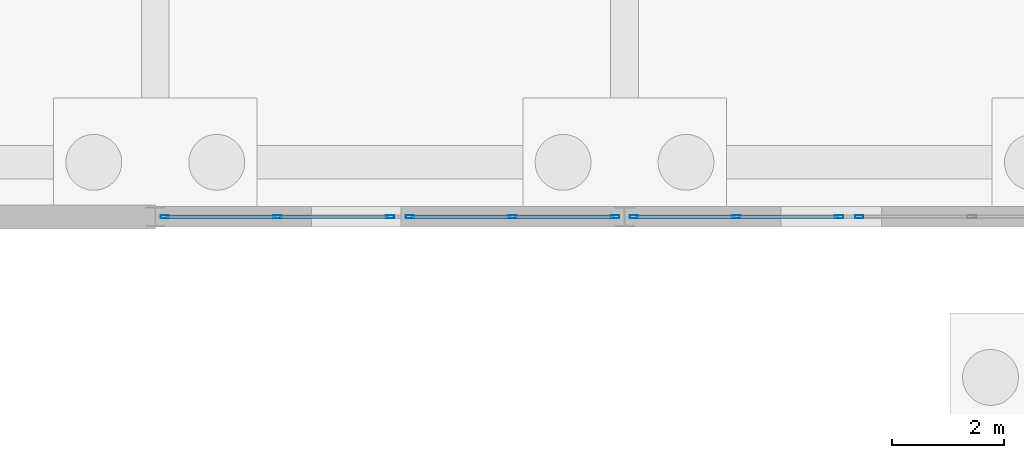
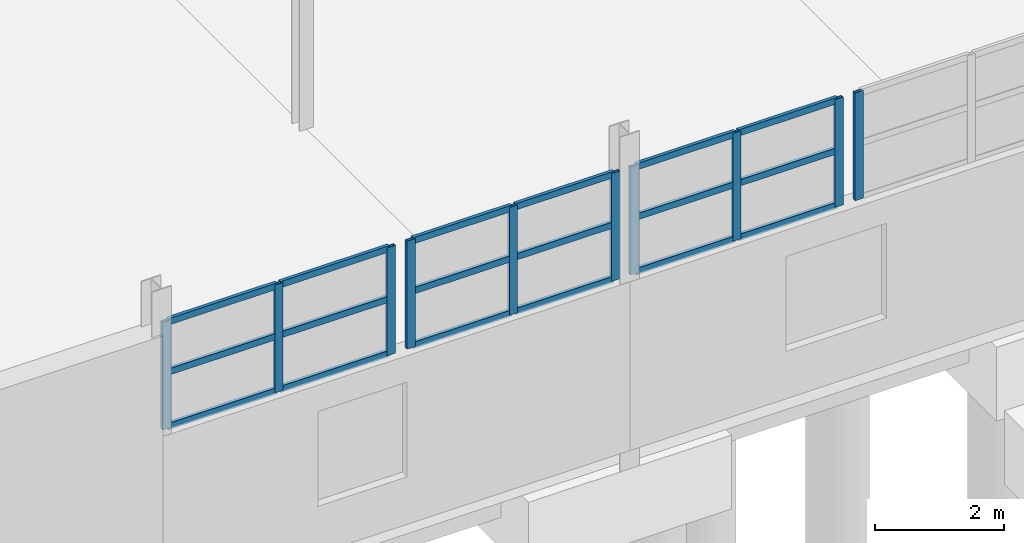
# One storey, part 68 of 139: 28 members, 4 elements without a shape of their own.
"""IFC4 building model written with IfcOpenShell, lengths in metres."""

import ifcopenshell
import ifcopenshell.guid

model = None  # the IFC model being written
_history = None  # IfcOwnerHistory: only IFC2X3 demands one
_inside = {}  # id of a spatial element -> (the spatial element, [elements in it])
_under = {}  # id of a project, library or spatial element -> (it, [spatial elements below it])
_declared = {}  # id of a project -> (the project, [libraries it declares])
_typed = {}  # id of a type object -> (the type object, [elements of that type])
_made_of = {}  # id of a material, layer set ... -> (it, [elements and type objects made of it])


def new_model(schema):
    """Start an empty IFC model of exactly this schema.

    Asked for "IFC4X3", IfcOpenShell would pick the latest addendum, in which some entities
    have other attributes; the version numbers below select the first issue.
    IFC2X3 requires an IfcOwnerHistory on every rooted entity: one is made here for all.
    """
    global model, _history
    if schema == "IFC4X3":
        model = ifcopenshell.file(schema_version=(4, 3, 0, 0))
    else:
        model = ifcopenshell.file(schema=schema)
    _inside.clear()
    _under.clear()
    _declared.clear()
    _typed.clear()
    _made_of.clear()
    _history = None
    if model.schema == "IFC2X3":
        org = make("IfcOrganization", Name="unknown")
        user = make(
            "IfcPersonAndOrganization",
            ThePerson=make("IfcPerson", FamilyName="unknown"),
            TheOrganization=org,
        )
        app = make(
            "IfcApplication",
            ApplicationDeveloper=org,
            Version="unknown",
            ApplicationFullName="unknown",
            ApplicationIdentifier="unknown",
        )
        _history = make(
            "IfcOwnerHistory",
            OwningUser=user,
            OwningApplication=app,
            ChangeAction="ADDED",
            CreationDate=0,
        )
    return model


def make(cls, **values):
    """One entity of the class cls with the attributes given. An attribute that is None is left unset."""
    return model.create_entity(
        cls, **{name: value for name, value in values.items() if value is not None}
    )


def rooted(cls, **values):
    """An entity with a GlobalId (a new one), such as an element, a storey or a relation."""
    return make(cls, GlobalId=ifcopenshell.guid.new(), OwnerHistory=_history, **values)


def si_unit(unit_type, name, prefix=None):
    """IfcSIUnit, for example si_unit("LENGTHUNIT", "METRE", prefix="MILLI")."""
    return make("IfcSIUnit", UnitType=unit_type, Prefix=prefix, Name=name)


def assignment(units):
    """IfcUnitAssignment: the units of a project."""
    return None if units is None else make("IfcUnitAssignment", Units=units)


def point(xyz):
    """IfcCartesianPoint."""
    return None if xyz is None else make("IfcCartesianPoint", Coordinates=xyz)


def direction(xyz):
    """IfcDirection."""
    return None if xyz is None else make("IfcDirection", DirectionRatios=xyz)


def frame(location, z_axis=None, x_axis=None):
    """IfcAxis2Placement3D, a coordinate frame: its origin and axes. An axis left out is left unset."""
    return make(
        "IfcAxis2Placement3D",
        Location=point(location),
        Axis=direction(z_axis),
        RefDirection=direction(x_axis),
    )


def frame_2d(location, x_axis=None):
    """IfcAxis2Placement2D, a coordinate frame in the plane: its origin and x axis."""
    return make(
        "IfcAxis2Placement2D", Location=point(location), RefDirection=direction(x_axis)
    )


def origin():
    """The frame at (0, 0, 0) with its axes left unset."""
    return frame((0.0, 0.0, 0.0))


def origin_2d():
    """The frame at (0, 0) in the plane with its x axis left unset."""
    return frame_2d((0.0, 0.0))


def place(relative_to, where):
    """IfcLocalPlacement: puts the frame where relative to a parent placement (None: the world)."""
    return make(
        "IfcLocalPlacement", PlacementRelTo=relative_to, RelativePlacement=where
    )


def context(
    kind, dimensions, precision=None, world=None, true_north=None, identifier=None
):
    """IfcGeometricRepresentationContext, for example the 3D "Model" context."""
    return make(
        "IfcGeometricRepresentationContext",
        ContextIdentifier=identifier,
        ContextType=kind,
        CoordinateSpaceDimension=dimensions,
        Precision=precision,
        WorldCoordinateSystem=world,
        TrueNorth=true_north,
    )


def subcontext(parent, identifier, kind, view, scale=None):
    """IfcGeometricRepresentationSubContext, for example "Body" below "Model"."""
    return make(
        "IfcGeometricRepresentationSubContext",
        ContextIdentifier=identifier,
        ContextType=kind,
        ParentContext=parent,
        TargetScale=scale,
        TargetView=view,
    )


def project(units=None, contexts=None):
    """IfcProject with its units and contexts."""
    return rooted(
        "IfcProject",
        Name="project",
        RepresentationContexts=contexts,
        UnitsInContext=assignment(units),
    )


def spatial(cls, under=None, at=None, **own):
    """A site, building, storey or space (cls), placed at a placement, below another one or the project."""
    s = rooted(cls, ObjectPlacement=at, **own)
    if under is not None:
        _under.setdefault(under.id(), (under, []))[1].append(s)
    return s


def profile(cls, at=None, kind="AREA", **sizes):
    """A parametric profile (cls). Its sizes go by their IFC names, for example OverallWidth=200.0."""
    return make(cls, ProfileType=kind, Position=at, **sizes)


def hollow_rectangle(**sizes):
    """IfcRectangleHollowProfileDef."""
    return profile("IfcRectangleHollowProfileDef", **sizes)


def extrude(swept, where, along, depth):
    """IfcExtrudedAreaSolid: the profile swept, set in the frame where, extruded along a direction by depth."""
    return make(
        "IfcExtrudedAreaSolid",
        SweptArea=swept,
        Position=where,
        ExtrudedDirection=direction(along),
        Depth=depth,
    )


def shape(context_of_items, identifier, shape_type, items):
    """IfcShapeRepresentation: the items that make up one representation, for example the "Body"."""
    return make(
        "IfcShapeRepresentation",
        ContextOfItems=context_of_items,
        RepresentationIdentifier=identifier,
        RepresentationType=shape_type,
        Items=items,
    )


def material(Name=None, Category=None):
    """IfcMaterial."""
    return make("IfcMaterial", Name=Name, Category=Category)


def material_profile(
    of_material, cross_section, Name=None, Category=None, Priority=None
):
    """IfcMaterialProfile: a cross section and its material."""
    return make(
        "IfcMaterialProfile",
        Name=Name,
        Material=of_material,
        Profile=cross_section,
        Priority=Priority,
        Category=Category,
    )


def profile_set(profiles, Name=None, composite=None):
    """IfcMaterialProfileSet."""
    return make(
        "IfcMaterialProfileSet",
        Name=Name,
        MaterialProfiles=profiles,
        CompositeProfile=composite,
    )


def made_of(thing, what):
    """Note that an element or type object is made of a material, layer set ...; save() writes the relation."""
    if what is not None:
        _made_of.setdefault(what.id(), (what, []))[1].append(thing)
    return thing


def type_object(cls, material=None, **own):
    """A type object (cls), such as IfcWallType, which elements share."""
    return made_of(rooted(cls, **own), material)


def element(
    cls,
    number,
    at=None,
    inside=None,
    cuts=None,
    type_object=None,
    material=None,
    context=None,
    identifier="Body",
    shape_type=None,
    held_by="IfcProductDefinitionShape",
    body=None,
    shapes=None,
    **own,
):
    """One element of the class cls, such as IfcWall. Its Tag is "e" and its number.

    at: its placement. inside: the storey or other place that contains it. cuts: it is an
    opening in that element (IfcRelVoidsElement). A single representation is given by context,
    identifier, shape_type and body (its items); several are given by shapes. held_by: the class
    of the entity that holds the representations. save() writes the other relations.
    """
    e = rooted(cls, Tag="e%d" % number, ObjectPlacement=at, **own)
    if body is not None:
        shapes = [shape(context, identifier, shape_type, body)]
    if shapes is not None:
        e.Representation = make(held_by, Representations=shapes)
    if inside is not None:
        _inside.setdefault(inside.id(), (inside, []))[1].append(e)
    if cuts is not None:
        rooted(
            "IfcRelVoidsElement", RelatingBuildingElement=cuts, RelatedOpeningElement=e
        )
    if type_object is not None:
        _typed.setdefault(type_object.id(), (type_object, []))[1].append(e)
    return made_of(e, material)


def aggregate(whole, parts):
    """IfcRelAggregates: a whole, such as a stair, and the parts it consists of."""
    return rooted("IfcRelAggregates", RelatingObject=whole, RelatedObjects=parts)


def save(model, path):
    """Write the relations noted so far, then the file.

    IfcRelAggregates (storeys below a building ...), IfcRelContainedInSpatialStructure (elements
    in a storey), IfcRelDefinesByType, IfcRelAssociatesMaterial and IfcRelDeclares: one each for
    every whole, place, type object, material and project.
    """
    for whole, parts in _under.values():
        aggregate(whole, parts)
    for where, things in _inside.values():
        rooted(
            "IfcRelContainedInSpatialStructure",
            RelatedElements=things,
            RelatingStructure=where,
        )
    for kind, things in _typed.values():
        rooted("IfcRelDefinesByType", RelatedObjects=things, RelatingType=kind)
    for what, things in _made_of.values():
        rooted("IfcRelAssociatesMaterial", RelatedObjects=things, RelatingMaterial=what)
    for by, libraries in _declared.values():
        rooted("IfcRelDeclares", RelatingContext=by, RelatedDefinitions=libraries)
    model.write(path)


model = new_model("IFC4")

# Units and contexts
model_context = context("Model", 3, precision=1e-05, world=origin(), true_north=direction((0.0, 1.0)))
body_context = subcontext(model_context, "Body", "Model", "MODEL_VIEW")
ifc_project = project(units=[si_unit("LENGTHUNIT", "METRE"), si_unit("AREAUNIT", "SQUARE_METRE"), si_unit("VOLUMEUNIT", "CUBIC_METRE"), si_unit("PLANEANGLEUNIT", "RADIAN"), si_unit("MASSUNIT", "GRAM", prefix="KILO")], contexts=[model_context])

# Site, building, storey
site_placement = place(None, origin())
site = spatial("IfcSite", under=ifc_project, at=site_placement, CompositionType="ELEMENT")
building_placement = place(site_placement, origin())
building = spatial("IfcBuilding", under=site, at=building_placement, Name="Kazenagashi Tramway Depot", CompositionType="ELEMENT")
storey_placement = place(building_placement, origin())
storey = spatial("IfcBuildingStorey", under=building, at=storey_placement, Name="L01", CompositionType="ELEMENT", Elevation=0.0)

# Curtain wall, members
ifc_material_1 = material(Name="Anodised Aluminium and Low-E Glazing", Category="aluminium")
curtain_wall_type_1 = type_object("IfcCurtainWallType", Name="CW-10", PredefinedType="USERDEFINED", material=ifc_material_1)
curtain_wall_1_placement = place(storey_placement, origin())
curtain_wall_1 = element("IfcCurtainWall", 1, at=curtain_wall_1_placement, inside=storey, type_object=curtain_wall_type_1, Name="Industrial Glazed Screen CW-10 CW-0021", ObjectType="GLAZED SCREEN", PredefinedType="USERDEFINED")
ifc_material_2 = material(Name="Anodised Aluminium", Category="aluminium")
ifc_material_profile_1 = material_profile(ifc_material_2, hollow_rectangle(XDim=0.06, YDim=0.15, WallThickness=0.004, at=origin_2d()), Name="RHS-150x60x4")
ifc_profile_set_1 = profile_set([ifc_material_profile_1], Name="Anodised Aluminium")
member_type_1 = type_object("IfcMemberType", Name="ML-01", PredefinedType="MULLION", material=ifc_profile_set_1)
member_1_placement = place(storey_placement, frame((70.17, 70.0, 3.2), z_axis=(0.0, 0.0, 1.0), x_axis=(0.0, 1.0, 0.0)))
member_1 = element("IfcMember", 2, at=member_1_placement, type_object=member_type_1, Name="CW-10 mullion 1", PredefinedType="MULLION", context=body_context, shape_type="SweptSolid", body=[
    extrude(hollow_rectangle(XDim=0.06, YDim=0.15, WallThickness=0.004, at=origin_2d()), origin(), (0.0, 0.0, 1.0), 2.047),
])
member_2_placement = place(storey_placement, frame((72.185, 70.0, 3.2), z_axis=(0.0, 0.0, 1.0), x_axis=(0.0, 1.0, 0.0)))
member_2 = element("IfcMember", 3, at=member_2_placement, type_object=member_type_1, Name="CW-10 mullion 2", PredefinedType="MULLION", context=body_context, shape_type="SweptSolid", body=[
    extrude(hollow_rectangle(XDim=0.06, YDim=0.15, WallThickness=0.004, at=origin_2d()), origin(), (0.0, 0.0, 1.0), 2.047),
])
member_3_placement = place(storey_placement, frame((74.2, 70.0, 3.2), z_axis=(0.0, 0.0, 1.0), x_axis=(0.0, 1.0, 0.0)))
member_3 = element("IfcMember", 4, at=member_3_placement, type_object=member_type_1, Name="CW-10 mullion 3", PredefinedType="MULLION", context=body_context, shape_type="SweptSolid", body=[
    extrude(hollow_rectangle(XDim=0.06, YDim=0.15, WallThickness=0.004, at=origin_2d()), origin(), (0.0, 0.0, 1.0), 2.047),
])

curtain_wall_type_2 = type_object("IfcCurtainWallType", Name="CW-09", PredefinedType="USERDEFINED", material=ifc_material_1)
curtain_wall_2_placement = place(storey_placement, origin())
curtain_wall_2 = element("IfcCurtainWall", 5, at=curtain_wall_2_placement, inside=storey, type_object=curtain_wall_type_2, Name="Industrial Glazed Screen CW-09 CW-0022", ObjectType="GLAZED SCREEN", PredefinedType="USERDEFINED")
member_4_placement = place(storey_placement, frame((74.56, 70.0, 3.2), z_axis=(0.0, 0.0, 1.0), x_axis=(0.0, 1.0, 0.0)))
member_4 = element("IfcMember", 6, at=member_4_placement, type_object=member_type_1, Name="CW-09 mullion 1", PredefinedType="MULLION", context=body_context, shape_type="SweptSolid", body=[
    extrude(hollow_rectangle(XDim=0.06, YDim=0.15, WallThickness=0.004, at=origin_2d()), origin(), (0.0, 0.0, 1.0), 2.047),
])
member_5_placement = place(storey_placement, frame((76.395, 70.0, 3.2), z_axis=(0.0, 0.0, 1.0), x_axis=(0.0, 1.0, 0.0)))
member_5 = element("IfcMember", 7, at=member_5_placement, type_object=member_type_1, Name="CW-09 mullion 2", PredefinedType="MULLION", context=body_context, shape_type="SweptSolid", body=[
    extrude(hollow_rectangle(XDim=0.06, YDim=0.15, WallThickness=0.004, at=origin_2d()), origin(), (0.0, 0.0, 1.0), 2.047),
])
member_6_placement = place(storey_placement, frame((78.23, 70.0, 3.2), z_axis=(0.0, 0.0, 1.0), x_axis=(0.0, 1.0, 0.0)))
member_6 = element("IfcMember", 8, at=member_6_placement, type_object=member_type_1, Name="CW-09 mullion 3", PredefinedType="MULLION", context=body_context, shape_type="SweptSolid", body=[
    extrude(hollow_rectangle(XDim=0.06, YDim=0.15, WallThickness=0.004, at=origin_2d()), origin(), (0.0, 0.0, 1.0), 2.047),
])

curtain_wall_3_placement = place(storey_placement, origin())
curtain_wall_3 = element("IfcCurtainWall", 9, at=curtain_wall_3_placement, inside=storey, type_object=curtain_wall_type_2, Name="Industrial Glazed Screen CW-09 CW-0024", ObjectType="GLAZED SCREEN", PredefinedType="USERDEFINED")
member_7_placement = place(storey_placement, frame((78.57, 70.0, 3.2), z_axis=(0.0, 0.0, 1.0), x_axis=(0.0, 1.0, 0.0)))
member_7 = element("IfcMember", 10, at=member_7_placement, type_object=member_type_1, Name="CW-09 mullion 1", PredefinedType="MULLION", context=body_context, shape_type="SweptSolid", body=[
    extrude(hollow_rectangle(XDim=0.06, YDim=0.15, WallThickness=0.004, at=origin_2d()), origin(), (0.0, 0.0, 1.0), 2.047),
])
member_8_placement = place(storey_placement, frame((80.405, 70.0, 3.2), z_axis=(0.0, 0.0, 1.0), x_axis=(0.0, 1.0, 0.0)))
member_8 = element("IfcMember", 11, at=member_8_placement, type_object=member_type_1, Name="CW-09 mullion 2", PredefinedType="MULLION", context=body_context, shape_type="SweptSolid", body=[
    extrude(hollow_rectangle(XDim=0.06, YDim=0.15, WallThickness=0.004, at=origin_2d()), origin(), (0.0, 0.0, 1.0), 2.047),
])
member_9_placement = place(storey_placement, frame((82.24, 70.0, 3.2), z_axis=(0.0, 0.0, 1.0), x_axis=(0.0, 1.0, 0.0)))
member_9 = element("IfcMember", 12, at=member_9_placement, type_object=member_type_1, Name="CW-09 mullion 3", PredefinedType="MULLION", context=body_context, shape_type="SweptSolid", body=[
    extrude(hollow_rectangle(XDim=0.06, YDim=0.15, WallThickness=0.004, at=origin_2d()), origin(), (0.0, 0.0, 1.0), 2.047),
])

# Curtain wall, member
curtain_wall_4_placement = place(storey_placement, origin())
curtain_wall_4 = element("IfcCurtainWall", 13, at=curtain_wall_4_placement, inside=storey, type_object=curtain_wall_type_1, Name="Industrial Glazed Screen CW-10 CW-0025", ObjectType="GLAZED SCREEN", PredefinedType="USERDEFINED")
member_10_placement = place(storey_placement, frame((82.6, 70.0, 3.2), z_axis=(0.0, 0.0, 1.0), x_axis=(0.0, 1.0, 0.0)))
member_10 = element("IfcMember", 14, at=member_10_placement, type_object=member_type_1, Name="CW-10 mullion 1", PredefinedType="MULLION", context=body_context, shape_type="SweptSolid", body=[
    extrude(hollow_rectangle(XDim=0.06, YDim=0.15, WallThickness=0.004, at=origin_2d()), origin(), (0.0, 0.0, 1.0), 2.047),
])
aggregate(curtain_wall_4, [member_10])

# Member
ifc_material_profile_2 = material_profile(ifc_material_2, hollow_rectangle(XDim=0.06, YDim=0.12, WallThickness=0.004, at=origin_2d()), Name="RHS-120x60x4")
ifc_profile_set_2 = profile_set([ifc_material_profile_2], Name="Anodised Aluminium")
member_type_2 = type_object("IfcMemberType", Name="TR-01", PredefinedType="USERDEFINED", material=ifc_profile_set_2)
member_11_placement = place(storey_placement, frame((70.2, 70.0, 3.23), z_axis=(1.0, 0.0, 0.0), x_axis=(0.0, 1.0, 0.0)))
member_11 = element("IfcMember", 15, at=member_11_placement, type_object=member_type_2, Name="CW-10 transom 1.1", ObjectType="TRANSOM", PredefinedType="USERDEFINED", context=body_context, shape_type="SweptSolid", body=[
    extrude(hollow_rectangle(XDim=0.06, YDim=0.12, WallThickness=0.004, at=origin_2d()), origin(), (0.0, 0.0, 1.0), 1.955),
])

member_12_placement = place(storey_placement, frame((70.2, 70.0, 4.264), z_axis=(1.0, 0.0, 0.0), x_axis=(0.0, 1.0, 0.0)))
member_12 = element("IfcMember", 16, at=member_12_placement, type_object=member_type_2, Name="CW-10 transom 1.2", ObjectType="TRANSOM", PredefinedType="USERDEFINED", context=body_context, shape_type="SweptSolid", body=[
    extrude(hollow_rectangle(XDim=0.06, YDim=0.12, WallThickness=0.004, at=origin_2d()), origin(), (0.0, 0.0, 1.0), 1.955),
])

member_13_placement = place(storey_placement, frame((70.2, 70.0, 5.217), z_axis=(1.0, 0.0, 0.0), x_axis=(0.0, 1.0, 0.0)))
member_13 = element("IfcMember", 17, at=member_13_placement, type_object=member_type_2, Name="CW-10 transom 1.3", ObjectType="TRANSOM", PredefinedType="USERDEFINED", context=body_context, shape_type="SweptSolid", body=[
    extrude(hollow_rectangle(XDim=0.06, YDim=0.12, WallThickness=0.004, at=origin_2d()), origin(), (0.0, 0.0, 1.0), 1.955),
])

member_14_placement = place(storey_placement, frame((72.215, 70.0, 3.23), z_axis=(1.0, 0.0, 0.0), x_axis=(0.0, 1.0, 0.0)))
member_14 = element("IfcMember", 18, at=member_14_placement, type_object=member_type_2, Name="CW-10 transom 2.1", ObjectType="TRANSOM", PredefinedType="USERDEFINED", context=body_context, shape_type="SweptSolid", body=[
    extrude(hollow_rectangle(XDim=0.06, YDim=0.12, WallThickness=0.004, at=origin_2d()), origin(), (0.0, 0.0, 1.0), 1.955),
])

member_15_placement = place(storey_placement, frame((72.215, 70.0, 4.264), z_axis=(1.0, 0.0, 0.0), x_axis=(0.0, 1.0, 0.0)))
member_15 = element("IfcMember", 19, at=member_15_placement, type_object=member_type_2, Name="CW-10 transom 2.2", ObjectType="TRANSOM", PredefinedType="USERDEFINED", context=body_context, shape_type="SweptSolid", body=[
    extrude(hollow_rectangle(XDim=0.06, YDim=0.12, WallThickness=0.004, at=origin_2d()), origin(), (0.0, 0.0, 1.0), 1.955),
])

member_16_placement = place(storey_placement, frame((72.215, 70.0, 5.217), z_axis=(1.0, 0.0, 0.0), x_axis=(0.0, 1.0, 0.0)))
member_16 = element("IfcMember", 20, at=member_16_placement, type_object=member_type_2, Name="CW-10 transom 2.3", ObjectType="TRANSOM", PredefinedType="USERDEFINED", context=body_context, shape_type="SweptSolid", body=[
    extrude(hollow_rectangle(XDim=0.06, YDim=0.12, WallThickness=0.004, at=origin_2d()), origin(), (0.0, 0.0, 1.0), 1.955),
])

aggregate(curtain_wall_1, [member_1, member_2, member_3, member_11, member_12, member_13, member_14, member_15, member_16])

member_17_placement = place(storey_placement, frame((74.59, 70.0, 3.23), z_axis=(1.0, 0.0, 0.0), x_axis=(0.0, 1.0, 0.0)))
member_17 = element("IfcMember", 21, at=member_17_placement, type_object=member_type_2, Name="CW-09 transom 1.1", ObjectType="TRANSOM", PredefinedType="USERDEFINED", context=body_context, shape_type="SweptSolid", body=[
    extrude(hollow_rectangle(XDim=0.06, YDim=0.12, WallThickness=0.004, at=origin_2d()), origin(), (0.0, 0.0, 1.0), 1.775),
])

member_18_placement = place(storey_placement, frame((74.59, 70.0, 4.264), z_axis=(1.0, 0.0, 0.0), x_axis=(0.0, 1.0, 0.0)))
member_18 = element("IfcMember", 22, at=member_18_placement, type_object=member_type_2, Name="CW-09 transom 1.2", ObjectType="TRANSOM", PredefinedType="USERDEFINED", context=body_context, shape_type="SweptSolid", body=[
    extrude(hollow_rectangle(XDim=0.06, YDim=0.12, WallThickness=0.004, at=origin_2d()), origin(), (0.0, 0.0, 1.0), 1.775),
])

member_19_placement = place(storey_placement, frame((74.59, 70.0, 5.217), z_axis=(1.0, 0.0, 0.0), x_axis=(0.0, 1.0, 0.0)))
member_19 = element("IfcMember", 23, at=member_19_placement, type_object=member_type_2, Name="CW-09 transom 1.3", ObjectType="TRANSOM", PredefinedType="USERDEFINED", context=body_context, shape_type="SweptSolid", body=[
    extrude(hollow_rectangle(XDim=0.06, YDim=0.12, WallThickness=0.004, at=origin_2d()), origin(), (0.0, 0.0, 1.0), 1.775),
])

member_20_placement = place(storey_placement, frame((76.425, 70.0, 3.23), z_axis=(1.0, 0.0, 0.0), x_axis=(0.0, 1.0, 0.0)))
member_20 = element("IfcMember", 24, at=member_20_placement, type_object=member_type_2, Name="CW-09 transom 2.1", ObjectType="TRANSOM", PredefinedType="USERDEFINED", context=body_context, shape_type="SweptSolid", body=[
    extrude(hollow_rectangle(XDim=0.06, YDim=0.12, WallThickness=0.004, at=origin_2d()), origin(), (0.0, 0.0, 1.0), 1.775),
])

member_21_placement = place(storey_placement, frame((76.425, 70.0, 4.264), z_axis=(1.0, 0.0, 0.0), x_axis=(0.0, 1.0, 0.0)))
member_21 = element("IfcMember", 25, at=member_21_placement, type_object=member_type_2, Name="CW-09 transom 2.2", ObjectType="TRANSOM", PredefinedType="USERDEFINED", context=body_context, shape_type="SweptSolid", body=[
    extrude(hollow_rectangle(XDim=0.06, YDim=0.12, WallThickness=0.004, at=origin_2d()), origin(), (0.0, 0.0, 1.0), 1.775),
])

member_22_placement = place(storey_placement, frame((76.425, 70.0, 5.217), z_axis=(1.0, 0.0, 0.0), x_axis=(0.0, 1.0, 0.0)))
member_22 = element("IfcMember", 26, at=member_22_placement, type_object=member_type_2, Name="CW-09 transom 2.3", ObjectType="TRANSOM", PredefinedType="USERDEFINED", context=body_context, shape_type="SweptSolid", body=[
    extrude(hollow_rectangle(XDim=0.06, YDim=0.12, WallThickness=0.004, at=origin_2d()), origin(), (0.0, 0.0, 1.0), 1.775),
])

aggregate(curtain_wall_2, [member_4, member_5, member_6, member_17, member_18, member_19, member_20, member_21, member_22])

member_23_placement = place(storey_placement, frame((78.6, 70.0, 3.23), z_axis=(1.0, 0.0, 0.0), x_axis=(0.0, 1.0, 0.0)))
member_23 = element("IfcMember", 27, at=member_23_placement, type_object=member_type_2, Name="CW-09 transom 1.1", ObjectType="TRANSOM", PredefinedType="USERDEFINED", context=body_context, shape_type="SweptSolid", body=[
    extrude(hollow_rectangle(XDim=0.06, YDim=0.12, WallThickness=0.004, at=origin_2d()), origin(), (0.0, 0.0, 1.0), 1.775),
])

member_24_placement = place(storey_placement, frame((78.6, 70.0, 4.264), z_axis=(1.0, 0.0, 0.0), x_axis=(0.0, 1.0, 0.0)))
member_24 = element("IfcMember", 28, at=member_24_placement, type_object=member_type_2, Name="CW-09 transom 1.2", ObjectType="TRANSOM", PredefinedType="USERDEFINED", context=body_context, shape_type="SweptSolid", body=[
    extrude(hollow_rectangle(XDim=0.06, YDim=0.12, WallThickness=0.004, at=origin_2d()), origin(), (0.0, 0.0, 1.0), 1.775),
])

member_25_placement = place(storey_placement, frame((78.6, 70.0, 5.217), z_axis=(1.0, 0.0, 0.0), x_axis=(0.0, 1.0, 0.0)))
member_25 = element("IfcMember", 29, at=member_25_placement, type_object=member_type_2, Name="CW-09 transom 1.3", ObjectType="TRANSOM", PredefinedType="USERDEFINED", context=body_context, shape_type="SweptSolid", body=[
    extrude(hollow_rectangle(XDim=0.06, YDim=0.12, WallThickness=0.004, at=origin_2d()), origin(), (0.0, 0.0, 1.0), 1.775),
])

member_26_placement = place(storey_placement, frame((80.435, 70.0, 3.23), z_axis=(1.0, 0.0, 0.0), x_axis=(0.0, 1.0, 0.0)))
member_26 = element("IfcMember", 30, at=member_26_placement, type_object=member_type_2, Name="CW-09 transom 2.1", ObjectType="TRANSOM", PredefinedType="USERDEFINED", context=body_context, shape_type="SweptSolid", body=[
    extrude(hollow_rectangle(XDim=0.06, YDim=0.12, WallThickness=0.004, at=origin_2d()), origin(), (0.0, 0.0, 1.0), 1.775),
])

member_27_placement = place(storey_placement, frame((80.435, 70.0, 4.264), z_axis=(1.0, 0.0, 0.0), x_axis=(0.0, 1.0, 0.0)))
member_27 = element("IfcMember", 31, at=member_27_placement, type_object=member_type_2, Name="CW-09 transom 2.2", ObjectType="TRANSOM", PredefinedType="USERDEFINED", context=body_context, shape_type="SweptSolid", body=[
    extrude(hollow_rectangle(XDim=0.06, YDim=0.12, WallThickness=0.004, at=origin_2d()), origin(), (0.0, 0.0, 1.0), 1.775),
])

member_28_placement = place(storey_placement, frame((80.435, 70.0, 5.217), z_axis=(1.0, 0.0, 0.0), x_axis=(0.0, 1.0, 0.0)))
member_28 = element("IfcMember", 32, at=member_28_placement, type_object=member_type_2, Name="CW-09 transom 2.3", ObjectType="TRANSOM", PredefinedType="USERDEFINED", context=body_context, shape_type="SweptSolid", body=[
    extrude(hollow_rectangle(XDim=0.06, YDim=0.12, WallThickness=0.004, at=origin_2d()), origin(), (0.0, 0.0, 1.0), 1.775),
])

aggregate(curtain_wall_3, [member_7, member_8, member_9, member_23, member_24, member_25, member_26, member_27, member_28])

save(model, "model.ifc")
